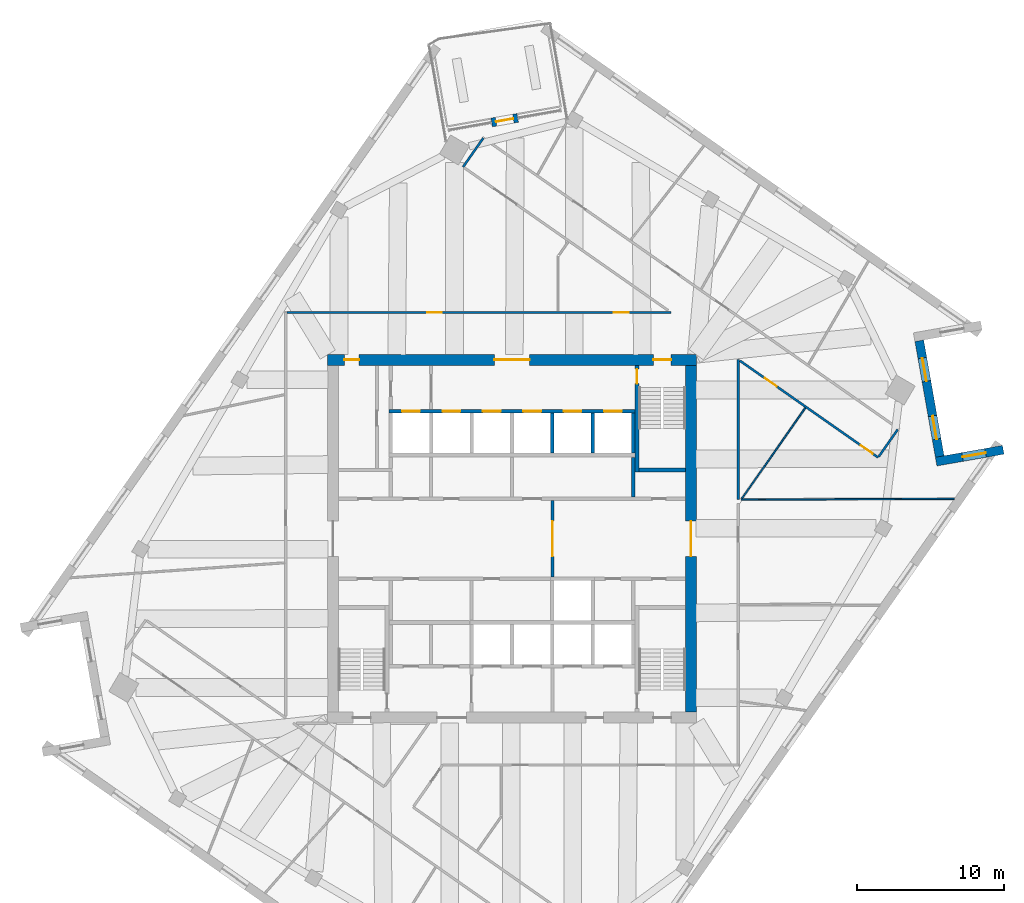
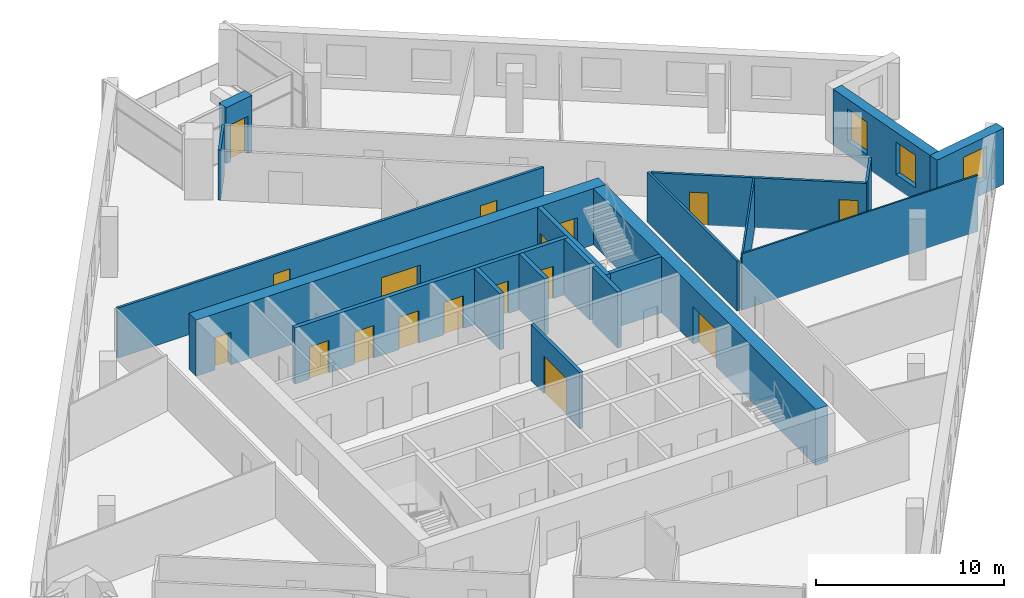
# One storey, part 10 of 13: 20 walls, 17 doors, 3 windows, 20 openings.
"""IFC4 building model written with IfcOpenShell, lengths in metres."""

from ifc_helpers import new_model, si_unit, direction, frame, frame_2d, origin, place, context, subcontext, project, spatial, rectangle, extrude, material, layer, layer_set, type_object, element, fill, save


model = new_model("IFC4")

# Units and contexts
model_context = context("Model", 3, precision=1e-05, world=origin(), true_north=direction((0.0, 1.0)))
body_context = subcontext(model_context, "Body", "Model", "MODEL_VIEW")
ifc_project = project(units=[si_unit("LENGTHUNIT", "METRE"), si_unit("AREAUNIT", "SQUARE_METRE"), si_unit("VOLUMEUNIT", "CUBIC_METRE"), si_unit("PLANEANGLEUNIT", "RADIAN"), si_unit("MASSUNIT", "GRAM", prefix="KILO")], contexts=[model_context])

# Site, building, storey
site_placement = place(None, origin())
site = spatial("IfcSite", under=ifc_project, at=site_placement, CompositionType="ELEMENT")
building_placement = place(site_placement, origin())
building = spatial("IfcBuilding", under=site, at=building_placement, Name="Dilmun Exchange Tower", CompositionType="ELEMENT")
storey_placement = place(building_placement, frame((0.0, 0.0, 250.89990234375)))
storey = spatial("IfcBuildingStorey", under=building, at=storey_placement, Name="L59", CompositionType="ELEMENT", Elevation=250.89990234375)

# Wall, opening, door
ifc_material_1 = material(Name="Concrete C40/50", Category="concrete")
ifc_layer_1 = layer(ifc_material_1, 0.199951171875)
ifc_layer_set_1 = layer_set([ifc_layer_1], Name="Concrete C40/50")
wall_type_1 = type_object("IfcWallType", Name="Core partition wall 200", PredefinedType="PARTITIONING", material=ifc_layer_set_1)
wall_1_placement = place(storey_placement, frame((2.75, -2.594970703125, 0.0), z_axis=(0.0, 0.0, 1.0), x_axis=(0.0, 1.0, 0.0)))
wall_1 = element("IfcWall", 1, at=wall_1_placement, inside=storey, type_object=wall_type_1, Name="L59 core partition wall 12", PredefinedType="PARTITIONING", context=body_context, shape_type="SweptSolid", body=[
    extrude(rectangle(XDim=5.18994140625, YDim=0.199951171875, at=frame_2d((2.594970703125, 0.0))), origin(), (0.0, 0.0, 1.0), 3.64013671875),
])
opening_1_placement = place(wall_1_placement, frame((1.39501953125, 0.0, 0.0)))
opening_1 = element("IfcOpeningElement", 2, at=opening_1_placement, cuts=wall_1, Name="Opening CD1", PredefinedType="OPENING", context=body_context, shape_type="SweptSolid", body=[
    extrude(rectangle(XDim=2.39990234375, YDim=2.39990234375, at=frame_2d((1.199951171875, 1.199951171875))), frame((0.0, 0.10986328125, 0.0), z_axis=(0.0, -1.0, 0.0), x_axis=(1.0, 0.0, 0.0)), (0.0, 0.0, 1.0), 0.219970703125),
])
ifc_material_2 = material(Name="Fire-rated steel door set", Category="steel")
door_type_1 = type_object("IfcDoorType", Name="Core lobby door 2400x2400", OperationType="DOUBLE_DOOR_DOUBLE_SWING", PredefinedType="DOOR", material=ifc_material_2)
door_1_placement = place(opening_1_placement, origin())
door_1 = element("IfcDoor", 3, at=door_1_placement, inside=storey, type_object=door_type_1, Name="L59 door Lift lobby east", OperationType="DOUBLE_DOOR_DOUBLE_SWING", OverallHeight=2.39990234375, OverallWidth=2.39990234375, PredefinedType="DOOR", context=body_context, shape_type="SweptSolid", body=[
    extrude(rectangle(XDim=2.39990234375, YDim=2.39990234375, at=frame_2d((1.199951171875, 1.199951171875))), frame((0.0, 0.02490234375, 0.0), z_axis=(0.0, -1.0, 0.0), x_axis=(1.0, 0.0, 0.0)), (0.0, 0.0, 1.0), 0.050048828125),
])
fill(opening_1, door_1)

# Wall
ifc_layer_2 = layer(ifc_material_1, 0.25)
ifc_layer_set_2 = layer_set([ifc_layer_2], Name="Concrete C40/50")
wall_type_2 = type_object("IfcWallType", Name="Core partition wall 250", PredefinedType="PARTITIONING", material=ifc_layer_set_2)
wall_2_placement = place(storey_placement, frame((8.25, 2.85498046875, 0.0), z_axis=(0.0, 0.0, 1.0), x_axis=(0.0, 1.0, 0.0)))
element("IfcWall", 4, at=wall_2_placement, inside=storey, type_object=wall_type_2, Name="L59 core partition wall 17", PredefinedType="PARTITIONING", context=body_context, shape_type="SweptSolid", body=[
    extrude(rectangle(XDim=2.68994140625, YDim=0.25, at=frame_2d((1.344970703125, 0.0))), origin(), (0.0, 0.0, 1.0), 3.64013671875),
])

# Wall, openings, doors
ifc_material_3 = material(Name="Concrete C50/60", Category="concrete")
ifc_layer_3 = layer(ifc_material_3, 0.75)
ifc_layer_set_3 = layer_set([ifc_layer_3], Name="Concrete C50/60")
wall_type_3 = type_object("IfcWallType", Name="Core shear wall 750 Concrete C50/60", PredefinedType="SHEAR", material=ifc_layer_set_3)
wall_3_placement = place(storey_placement, frame((-12.550048828125, 12.175048828125, 0.0), z_axis=(0.0, 0.0, 1.0), x_axis=(1.0, 0.0, 0.0)))
wall_3 = element("IfcWall", 5, at=wall_3_placement, inside=storey, type_object=wall_type_3, Name="L59 core shear wall N", PredefinedType="SHEAR", context=body_context, shape_type="SweptSolid", body=[
    extrude(rectangle(XDim=25.10009765625, YDim=0.75, at=frame_2d((12.550048828125, 0.0))), origin(), (0.0, 0.0, 1.0), 3.64013671875),
])
opening_2_placement = place(wall_3_placement, frame((11.35009765625, 0.0, 0.0)))
opening_2 = element("IfcOpeningElement", 6, at=opening_2_placement, cuts=wall_3, Name="Opening CD1", PredefinedType="OPENING", context=body_context, shape_type="SweptSolid", body=[
    extrude(rectangle(XDim=2.39990234375, YDim=2.39990234375, at=frame_2d((1.199951171875, 1.199951171875))), frame((0.0, 0.385009765625, 0.0), z_axis=(0.0, -1.0, 0.0), x_axis=(1.0, 0.0, 0.0)), (0.0, 0.0, 1.0), 0.77001953125),
])
opening_3_placement = place(wall_3_placement, frame((22.175048828125, 0.0, 0.0)))
opening_3 = element("IfcOpeningElement", 7, at=opening_3_placement, cuts=wall_3, Name="Opening CD3", PredefinedType="OPENING", context=body_context, shape_type="SweptSolid", body=[
    extrude(rectangle(XDim=1.199951171875, YDim=2.10009765625, at=frame_2d((0.60009765625, 1.050048828125))), frame((0.0, 0.385009765625, 0.0), z_axis=(0.0, -1.0, 0.0), x_axis=(1.0, 0.0, 0.0)), (0.0, 0.0, 1.0), 0.77001953125),
])
opening_4_placement = place(wall_3_placement, frame((1.14990234375, 0.0, 0.0)))
opening_4 = element("IfcOpeningElement", 8, at=opening_4_placement, cuts=wall_3, Name="Opening CD4", PredefinedType="OPENING", context=body_context, shape_type="SweptSolid", body=[
    extrude(rectangle(XDim=1.0, YDim=2.10009765625, at=frame_2d((0.5, 1.050048828125))), frame((0.0, 0.385009765625, 0.0), z_axis=(0.0, -1.0, 0.0), x_axis=(1.0, 0.0, 0.0)), (0.0, 0.0, 1.0), 0.77001953125),
])
door_2_placement = place(opening_2_placement, origin())
door_2 = element("IfcDoor", 9, at=door_2_placement, inside=storey, type_object=door_type_1, Name="L59 door North lift lobby", OperationType="SINGLE_SWING_LEFT", OverallHeight=2.39990234375, OverallWidth=2.39990234375, PredefinedType="DOOR", context=body_context, shape_type="SweptSolid", body=[
    extrude(rectangle(XDim=2.39990234375, YDim=2.39990234375, at=frame_2d((1.199951171875, 1.199951171875))), frame((0.0, 0.02490234375, 0.0), z_axis=(0.0, -1.0, 0.0), x_axis=(1.0, 0.0, 0.0)), (0.0, 0.0, 1.0), 0.050048828125),
])
fill(opening_2, door_2)
door_type_2 = type_object("IfcDoorType", Name="Core room door 1000x2100", OperationType="SINGLE_SWING_LEFT", PredefinedType="DOOR", material=ifc_material_2)
door_3_placement = place(opening_4_placement, origin())
door_3 = element("IfcDoor", 10, at=door_3_placement, inside=storey, type_object=door_type_2, Name="L59 door North-west core rooms", OperationType="SINGLE_SWING_LEFT", OverallHeight=2.10009765625, OverallWidth=1.0, PredefinedType="DOOR", context=body_context, shape_type="SweptSolid", body=[
    extrude(rectangle(XDim=1.0, YDim=2.10009765625, at=frame_2d((0.5, 1.050048828125))), frame((0.0, 0.02490234375, 0.0), z_axis=(0.0, -1.0, 0.0), x_axis=(1.0, 0.0, 0.0)), (0.0, 0.0, 1.0), 0.050048828125),
])
fill(opening_4, door_3)
door_type_3 = type_object("IfcDoorType", Name="Stair exit door 1200x2100", OperationType="SINGLE_SWING_LEFT", PredefinedType="DOOR", material=ifc_material_2)
door_4_placement = place(opening_3_placement, origin())
door_4 = element("IfcDoor", 11, at=door_4_placement, inside=storey, type_object=door_type_3, Name="L59 door Stair ST1", OperationType="SINGLE_SWING_LEFT", OverallHeight=2.10009765625, OverallWidth=1.199951171875, PredefinedType="DOOR", context=body_context, shape_type="SweptSolid", body=[
    extrude(rectangle(XDim=1.199951171875, YDim=2.10009765625, at=frame_2d((0.60009765625, 1.050048828125))), frame((0.0, 0.02490234375, 0.0), z_axis=(0.0, -1.0, 0.0), x_axis=(1.0, 0.0, 0.0)), (0.0, 0.0, 1.0), 0.050048828125),
])
fill(opening_3, door_4)

# Wall, opening, door
wall_4_placement = place(storey_placement, frame((12.175048828125, -11.800048828125, 0.0), z_axis=(0.0, 0.0, 1.0), x_axis=(0.0, 1.0, 0.0)))
wall_4 = element("IfcWall", 12, at=wall_4_placement, inside=storey, type_object=wall_type_3, Name="L59 core shear wall E", PredefinedType="SHEAR", context=body_context, shape_type="SweptSolid", body=[
    extrude(rectangle(XDim=23.60009765625, YDim=0.75, at=frame_2d((11.800048828125, 0.0))), origin(), (0.0, 0.0, 1.0), 3.64013671875),
])
opening_5_placement = place(wall_4_placement, frame((10.60009765625, 0.0, 0.0)))
opening_5 = element("IfcOpeningElement", 13, at=opening_5_placement, cuts=wall_4, Name="Opening CD1", PredefinedType="OPENING", context=body_context, shape_type="SweptSolid", body=[
    extrude(rectangle(XDim=2.39990234375, YDim=2.39990234375, at=frame_2d((1.199951171875, 1.199951171875))), frame((0.0, 0.385009765625, 0.0), z_axis=(0.0, -1.0, 0.0), x_axis=(1.0, 0.0, 0.0)), (0.0, 0.0, 1.0), 0.77001953125),
])
door_5_placement = place(opening_5_placement, origin())
door_5 = element("IfcDoor", 14, at=door_5_placement, inside=storey, type_object=door_type_1, Name="L59 door Central lift lobby", OperationType="SINGLE_SWING_LEFT", OverallHeight=2.39990234375, OverallWidth=2.39990234375, PredefinedType="DOOR", context=body_context, shape_type="SweptSolid", body=[
    extrude(rectangle(XDim=2.39990234375, YDim=2.39990234375, at=frame_2d((1.199951171875, 1.199951171875))), frame((0.0, 0.02490234375, 0.0), z_axis=(0.0, -1.0, 0.0), x_axis=(1.0, 0.0, 0.0)), (0.0, 0.0, 1.0), 0.050048828125),
])
fill(opening_5, door_5)

# Wall, openings, doors
ifc_material_4 = material(Name="Corridor wall 150")
ifc_layer_4 = layer(ifc_material_4, 0.14990234375)
ifc_layer_set_4 = layer_set([ifc_layer_4], Name="Corridor wall 150")
wall_type_4 = type_object("IfcWallType", Name="Corridor wall 150", PredefinedType="PARTITIONING", material=ifc_layer_set_4)
wall_5_placement = place(storey_placement, frame((-15.324951171875, 15.39990234375, 0.0), z_axis=(0.0, 0.0, 1.0), x_axis=(1.0, 0.0, 0.0)))
wall_5 = element("IfcWall", 15, at=wall_5_placement, inside=storey, type_object=wall_type_4, Name="Corridor wall", PredefinedType="PARTITIONING", context=body_context, shape_type="SweptSolid", body=[
    extrude(rectangle(XDim=26.140869140625, YDim=0.14990234375, at=frame_2d((13.0703125, 0.0))), origin(), (0.0, 0.0, 1.0), 3.239990234375),
])
opening_6_placement = place(wall_5_placement, frame((9.550048828125, 0.0, 0.0)))
opening_6 = element("IfcOpeningElement", 16, at=opening_6_placement, cuts=wall_5, Name="Opening TF57-D08", PredefinedType="OPENING", context=body_context, shape_type="SweptSolid", body=[
    extrude(rectangle(XDim=1.0, YDim=2.10009765625, at=frame_2d((0.5, 1.050048828125))), frame((0.0, 0.0849609375, 0.0), z_axis=(0.0, -1.0, 0.0), x_axis=(1.0, 0.0, 0.0)), (0.0, 0.0, 1.0), 0.169921875),
])
opening_7_placement = place(wall_5_placement, frame((22.2548828125, 0.0, 0.0)))
opening_7 = element("IfcOpeningElement", 17, at=opening_7_placement, cuts=wall_5, Name="Opening TF57-D12", PredefinedType="OPENING", context=body_context, shape_type="SweptSolid", body=[
    extrude(rectangle(XDim=1.0, YDim=2.10009765625, at=frame_2d((0.5, 1.050048828125))), frame((0.0, 0.0849609375, 0.0), z_axis=(0.0, -1.0, 0.0), x_axis=(1.0, 0.0, 0.0)), (0.0, 0.0, 1.0), 0.169921875),
])
ifc_material_5 = material(Name="Fire door 1000 x 2100")
door_type_4 = type_object("IfcDoorType", Name="Fire door 1000 x 2100", OperationType="NOTDEFINED", PredefinedType="DOOR", material=ifc_material_5)
door_6_placement = place(opening_6_placement, origin())
door_6 = element("IfcDoor", 18, at=door_6_placement, inside=storey, type_object=door_type_4, Name="Door TF57-D08", OperationType="SINGLE_SWING_RIGHT", OverallHeight=2.10009765625, OverallWidth=1.0, PredefinedType="DOOR", context=body_context, shape_type="SweptSolid", body=[
    extrude(rectangle(XDim=1.0, YDim=2.10009765625, at=frame_2d((0.5, 1.050048828125))), frame((0.0, 0.02490234375, 0.0), z_axis=(0.0, -1.0, 0.0), x_axis=(1.0, 0.0, 0.0)), (0.0, 0.0, 1.0), 0.050048828125),
])
fill(opening_6, door_6)
door_7_placement = place(opening_7_placement, origin())
door_7 = element("IfcDoor", 19, at=door_7_placement, inside=storey, type_object=door_type_4, Name="Door TF57-D12", OperationType="SINGLE_SWING_LEFT", OverallHeight=2.10009765625, OverallWidth=1.0, PredefinedType="DOOR", context=body_context, shape_type="SweptSolid", body=[
    extrude(rectangle(XDim=1.0, YDim=2.10009765625, at=frame_2d((0.5, 1.050048828125))), frame((0.0, 0.02490234375, 0.0), z_axis=(0.0, -1.0, 0.0), x_axis=(1.0, 0.0, 0.0)), (0.0, 0.0, 1.0), 0.050048828125),
])
fill(opening_7, door_7)

# Walls
wall_6_placement = place(storey_placement, frame((-3.326904296875, 25.302978515625, 0.0), z_axis=(0.0, 0.0, 1.0), x_axis=(0.573387234428, 0.819284492344, 0.0)))
element("IfcWall", 20, at=wall_6_placement, inside=storey, type_object=wall_type_4, Name="Corridor wall", PredefinedType="PARTITIONING", context=body_context, shape_type="SweptSolid", body=[
    extrude(rectangle(XDim=2.399658203125, YDim=0.14990234375, at=frame_2d((1.19970703125, 0.0))), origin(), (0.0, 0.0, 1.0), 3.239990234375),
])
wall_7_placement = place(storey_placement, frame((15.39990234375, 2.6640625, 0.0), z_axis=(0.0, 0.0, 1.0), x_axis=(0.0, 1.0, 0.0)))
element("IfcWall", 21, at=wall_7_placement, inside=storey, type_object=wall_type_4, Name="Corridor wall", PredefinedType="PARTITIONING", context=body_context, shape_type="SweptSolid", body=[
    extrude(rectangle(XDim=9.52587890625, YDim=0.14990234375, at=frame_2d((4.762939453125, 0.0))), origin(), (0.0, 0.0, 1.0), 3.239990234375),
])

# Wall, openings, doors
wall_8_placement = place(storey_placement, frame((15.51806640625, 12.107421875, 0.0), z_axis=(0.0, 0.0, 1.0), x_axis=(0.819171924474, -0.573548043457, 0.0)))
wall_8 = element("IfcWall", 22, at=wall_8_placement, inside=storey, type_object=wall_type_4, Name="Corridor wall", PredefinedType="PARTITIONING", context=body_context, shape_type="SweptSolid", body=[
    extrude(rectangle(XDim=11.47119140625, YDim=0.14990234375, at=frame_2d((5.735595703125, 0.0))), origin(), (0.0, 0.0, 1.0), 3.239990234375),
])
opening_8_placement = place(wall_8_placement, frame((2.050048828125, 0.0, 0.0)))
opening_8 = element("IfcOpeningElement", 23, at=opening_8_placement, cuts=wall_8, Name="Opening TF57-D15", PredefinedType="OPENING", context=body_context, shape_type="SweptSolid", body=[
    extrude(rectangle(XDim=1.0, YDim=2.10009765625, at=frame_2d((0.5, 1.050048828125))), frame((0.0, 0.0849609375, 0.0), z_axis=(0.0, -1.0, 0.0), x_axis=(1.0, 0.0, 0.0)), (0.0, 0.0, 1.0), 0.169921875),
])
opening_9_placement = place(wall_8_placement, frame((10.027099609375, 0.0, 0.0)))
opening_9 = element("IfcOpeningElement", 24, at=opening_9_placement, cuts=wall_8, Name="Opening TF57-D19", PredefinedType="OPENING", context=body_context, shape_type="SweptSolid", body=[
    extrude(rectangle(XDim=1.0, YDim=2.10009765625, at=frame_2d((0.5, 1.050048828125))), frame((0.0, 0.0849609375, 0.0), z_axis=(0.0, -1.0, 0.0), x_axis=(1.0, 0.0, 0.0)), (0.0, 0.0, 1.0), 0.169921875),
])
door_8_placement = place(opening_8_placement, frame((1.0, 0.0, 0.0), z_axis=(0.0, 0.0, 1.0), x_axis=(-1.0, 0.0, 0.0)))
door_8 = element("IfcDoor", 25, at=door_8_placement, inside=storey, type_object=door_type_4, Name="Door TF57-D15", OperationType="SINGLE_SWING_LEFT", OverallHeight=2.10009765625, OverallWidth=1.0, PredefinedType="DOOR", context=body_context, shape_type="SweptSolid", body=[
    extrude(rectangle(XDim=1.0, YDim=2.10009765625, at=frame_2d((0.5, 1.050048828125))), frame((0.0, 0.02490234375, 0.0), z_axis=(0.0, -1.0, 0.0), x_axis=(1.0, 0.0, 0.0)), (0.0, 0.0, 1.0), 0.050048828125),
])
fill(opening_8, door_8)
door_9_placement = place(opening_9_placement, frame((1.0, 0.0, 0.0), z_axis=(0.0, 0.0, 1.0), x_axis=(-1.0, 0.0, 0.0)))
door_9 = element("IfcDoor", 26, at=door_9_placement, inside=storey, type_object=door_type_4, Name="Door TF57-D19", OperationType="SINGLE_SWING_LEFT", OverallHeight=2.10009765625, OverallWidth=1.0, PredefinedType="DOOR", context=body_context, shape_type="SweptSolid", body=[
    extrude(rectangle(XDim=1.0, YDim=2.10009765625, at=frame_2d((0.5, 1.050048828125))), frame((0.0, 0.02490234375, 0.0), z_axis=(0.0, -1.0, 0.0), x_axis=(1.0, 0.0, 0.0)), (0.0, 0.0, 1.0), 0.050048828125),
])
fill(opening_9, door_9)

# Wall
wall_9_placement = place(storey_placement, frame((24.9580078125, 5.58935546875, 0.0), z_axis=(0.0, 0.0, 1.0), x_axis=(0.573680754751, 0.819078989859, 0.0)))
element("IfcWall", 27, at=wall_9_placement, inside=storey, type_object=wall_type_4, Name="Corridor wall", PredefinedType="PARTITIONING", context=body_context, shape_type="SweptSolid", body=[
    extrude(rectangle(XDim=2.25048828125, YDim=0.14990234375, at=frame_2d((1.125244140625, 0.0))), origin(), (0.0, 0.0, 1.0), 3.239990234375),
])

# Wall, openings, doors
ifc_layer_5 = layer(ifc_material_1, 0.25)
ifc_layer_set_5 = layer_set([ifc_layer_5], Name="Concrete C40/50")
wall_type_5 = type_object("IfcWallType", Name="Lift shaft wall 250", PredefinedType="SOLIDWALL", material=ifc_layer_set_5)
wall_10_placement = place(storey_placement, frame((-8.375, 8.675048828125, 0.0), z_axis=(0.0, 0.0, 1.0), x_axis=(1.0, 0.0, 0.0)))
wall_10 = element("IfcWall", 28, at=wall_10_placement, inside=storey, type_object=wall_type_5, Name="L59 lift shaft front wall N2", PredefinedType="SOLIDWALL", context=body_context, shape_type="SweptSolid", body=[
    extrude(rectangle(XDim=16.75, YDim=0.25, at=frame_2d((8.375, 0.0))), origin(), (0.0, 0.0, 1.0), 3.64013671875),
])
opening_10_placement = place(wall_10_placement, frame((0.89990234375, 0.0, 0.0)))
opening_10 = element("IfcOpeningElement", 29, at=opening_10_placement, cuts=wall_10, Name="Opening LD", PredefinedType="OPENING", context=body_context, shape_type="SweptSolid", body=[
    extrude(rectangle(XDim=1.199951171875, YDim=2.10009765625, at=frame_2d((0.60009765625, 1.050048828125))), frame((0.0, 0.135009765625, 0.0), z_axis=(0.0, -1.0, 0.0), x_axis=(1.0, 0.0, 0.0)), (0.0, 0.0, 1.0), 0.27001953125),
])
opening_11_placement = place(wall_10_placement, frame((3.64990234375, 0.0, 0.0)))
opening_11 = element("IfcOpeningElement", 30, at=opening_11_placement, cuts=wall_10, Name="Opening LD", PredefinedType="OPENING", context=body_context, shape_type="SweptSolid", body=[
    extrude(rectangle(XDim=1.199951171875, YDim=2.10009765625, at=frame_2d((0.60009765625, 1.050048828125))), frame((0.0, 0.135009765625, 0.0), z_axis=(0.0, -1.0, 0.0), x_axis=(1.0, 0.0, 0.0)), (0.0, 0.0, 1.0), 0.27001953125),
])
opening_12_placement = place(wall_10_placement, frame((6.39990234375, 0.0, 0.0)))
opening_12 = element("IfcOpeningElement", 31, at=opening_12_placement, cuts=wall_10, Name="Opening LD", PredefinedType="OPENING", context=body_context, shape_type="SweptSolid", body=[
    extrude(rectangle(XDim=1.199951171875, YDim=2.10009765625, at=frame_2d((0.60009765625, 1.050048828125))), frame((0.0, 0.135009765625, 0.0), z_axis=(0.0, -1.0, 0.0), x_axis=(1.0, 0.0, 0.0)), (0.0, 0.0, 1.0), 0.27001953125),
])
opening_13_placement = place(wall_10_placement, frame((9.14990234375, 0.0, 0.0)))
opening_13 = element("IfcOpeningElement", 32, at=opening_13_placement, cuts=wall_10, Name="Opening LD", PredefinedType="OPENING", context=body_context, shape_type="SweptSolid", body=[
    extrude(rectangle(XDim=1.199951171875, YDim=2.10009765625, at=frame_2d((0.60009765625, 1.050048828125))), frame((0.0, 0.135009765625, 0.0), z_axis=(0.0, -1.0, 0.0), x_axis=(1.0, 0.0, 0.0)), (0.0, 0.0, 1.0), 0.27001953125),
])
opening_14_placement = place(wall_10_placement, frame((11.89990234375, 0.0, 0.0)))
opening_14 = element("IfcOpeningElement", 33, at=opening_14_placement, cuts=wall_10, Name="Opening LD", PredefinedType="OPENING", context=body_context, shape_type="SweptSolid", body=[
    extrude(rectangle(XDim=1.199951171875, YDim=2.10009765625, at=frame_2d((0.60009765625, 1.050048828125))), frame((0.0, 0.135009765625, 0.0), z_axis=(0.0, -1.0, 0.0), x_axis=(1.0, 0.0, 0.0)), (0.0, 0.0, 1.0), 0.27001953125),
])
opening_15_placement = place(wall_10_placement, frame((14.64990234375, 0.0, 0.0)))
opening_15 = element("IfcOpeningElement", 34, at=opening_15_placement, cuts=wall_10, Name="Opening LD", PredefinedType="OPENING", context=body_context, shape_type="SweptSolid", body=[
    extrude(rectangle(XDim=1.199951171875, YDim=2.10009765625, at=frame_2d((0.60009765625, 1.050048828125))), frame((0.0, 0.135009765625, 0.0), z_axis=(0.0, -1.0, 0.0), x_axis=(1.0, 0.0, 0.0)), (0.0, 0.0, 1.0), 0.27001953125),
])
door_type_5 = type_object("IfcDoorType", Name="Lift landing door 1200x2100", OperationType="DOUBLE_DOOR_SLIDING", PredefinedType="DOOR", material=ifc_material_2)
door_10_placement = place(opening_10_placement, origin())
door_10 = element("IfcDoor", 35, at=door_10_placement, inside=storey, type_object=door_type_5, Name="L59 landing door HR1", OperationType="DOUBLE_DOOR_SLIDING", OverallHeight=2.10009765625, OverallWidth=1.199951171875, PredefinedType="DOOR", context=body_context, shape_type="SweptSolid", body=[
    extrude(rectangle(XDim=1.199951171875, YDim=2.10009765625, at=frame_2d((0.60009765625, 1.050048828125))), frame((0.0, 0.02490234375, 0.0), z_axis=(0.0, -1.0, 0.0), x_axis=(1.0, 0.0, 0.0)), (0.0, 0.0, 1.0), 0.050048828125),
])
fill(opening_10, door_10)
door_11_placement = place(opening_11_placement, origin())
door_11 = element("IfcDoor", 36, at=door_11_placement, inside=storey, type_object=door_type_5, Name="L59 landing door HR2", OperationType="DOUBLE_DOOR_SLIDING", OverallHeight=2.10009765625, OverallWidth=1.199951171875, PredefinedType="DOOR", context=body_context, shape_type="SweptSolid", body=[
    extrude(rectangle(XDim=1.199951171875, YDim=2.10009765625, at=frame_2d((0.60009765625, 1.050048828125))), frame((0.0, 0.02490234375, 0.0), z_axis=(0.0, -1.0, 0.0), x_axis=(1.0, 0.0, 0.0)), (0.0, 0.0, 1.0), 0.050048828125),
])
fill(opening_11, door_11)
door_12_placement = place(opening_12_placement, origin())
door_12 = element("IfcDoor", 37, at=door_12_placement, inside=storey, type_object=door_type_5, Name="L59 landing door HR3", OperationType="DOUBLE_DOOR_SLIDING", OverallHeight=2.10009765625, OverallWidth=1.199951171875, PredefinedType="DOOR", context=body_context, shape_type="SweptSolid", body=[
    extrude(rectangle(XDim=1.199951171875, YDim=2.10009765625, at=frame_2d((0.60009765625, 1.050048828125))), frame((0.0, 0.02490234375, 0.0), z_axis=(0.0, -1.0, 0.0), x_axis=(1.0, 0.0, 0.0)), (0.0, 0.0, 1.0), 0.050048828125),
])
fill(opening_12, door_12)
door_13_placement = place(opening_13_placement, origin())
door_13 = element("IfcDoor", 38, at=door_13_placement, inside=storey, type_object=door_type_5, Name="L59 landing door HR4", OperationType="DOUBLE_DOOR_SLIDING", OverallHeight=2.10009765625, OverallWidth=1.199951171875, PredefinedType="DOOR", context=body_context, shape_type="SweptSolid", body=[
    extrude(rectangle(XDim=1.199951171875, YDim=2.10009765625, at=frame_2d((0.60009765625, 1.050048828125))), frame((0.0, 0.02490234375, 0.0), z_axis=(0.0, -1.0, 0.0), x_axis=(1.0, 0.0, 0.0)), (0.0, 0.0, 1.0), 0.050048828125),
])
fill(opening_13, door_13)
door_14_placement = place(opening_14_placement, origin())
door_14 = element("IfcDoor", 39, at=door_14_placement, inside=storey, type_object=door_type_5, Name="L59 landing door HR5", OperationType="DOUBLE_DOOR_SLIDING", OverallHeight=2.10009765625, OverallWidth=1.199951171875, PredefinedType="DOOR", context=body_context, shape_type="SweptSolid", body=[
    extrude(rectangle(XDim=1.199951171875, YDim=2.10009765625, at=frame_2d((0.60009765625, 1.050048828125))), frame((0.0, 0.02490234375, 0.0), z_axis=(0.0, -1.0, 0.0), x_axis=(1.0, 0.0, 0.0)), (0.0, 0.0, 1.0), 0.050048828125),
])
fill(opening_14, door_14)
door_15_placement = place(opening_15_placement, origin())
door_15 = element("IfcDoor", 40, at=door_15_placement, inside=storey, type_object=door_type_5, Name="L59 landing door HR6", OperationType="DOUBLE_DOOR_SLIDING", OverallHeight=2.10009765625, OverallWidth=1.199951171875, PredefinedType="DOOR", context=body_context, shape_type="SweptSolid", body=[
    extrude(rectangle(XDim=1.199951171875, YDim=2.10009765625, at=frame_2d((0.60009765625, 1.050048828125))), frame((0.0, 0.02490234375, 0.0), z_axis=(0.0, -1.0, 0.0), x_axis=(1.0, 0.0, 0.0)), (0.0, 0.0, 1.0), 0.050048828125),
])
fill(opening_15, door_15)

# Walls
for number, where, z_axis, x_axis, name in (
    (41, (2.75, 5.85009765625, 0.0), (0.0, 0.0, 1.0), (0.0, 1.0, 0.0), "L59 lift shaft divider N24"),
    (42, (5.5, 5.85009765625, 0.0), (0.0, 0.0, 1.0), (0.0, 1.0, 0.0), "L59 lift shaft divider N25"),
    (43, (8.25, 5.85009765625, 0.0), (0.0, 0.0, 1.0), (0.0, 1.0, 0.0), "L59 lift shaft divider N26"),
):
    element("IfcWall", number, at=place(storey_placement, frame(where, z_axis=z_axis, x_axis=x_axis)), inside=storey, type_object=wall_type_5, Name=name, PredefinedType="SOLIDWALL", context=body_context, shape_type="SweptSolid", body=[
        extrude(rectangle(XDim=2.699951171875, YDim=0.25, at=frame_2d((1.35009765625, 0.0))), origin(), (0.0, 0.0, 1.0), 3.64013671875),
    ])
ifc_material_6 = material(Name="Partition 100")
ifc_layer_6 = layer(ifc_material_6, 0.10009765625)
ifc_layer_set_6 = layer_set([ifc_layer_6], Name="Partition 100")
wall_type_6 = type_object("IfcWallType", Name="Partition 100", PredefinedType="PARTITIONING", material=ifc_layer_set_6)
wall_11_placement = place(storey_placement, frame((15.593017578125, 2.6650390625, 0.0), z_axis=(0.0, 0.0, 1.0), x_axis=(0.999993270933, 0.003668526741, 0.0)))
element("IfcWall", 44, at=wall_11_placement, inside=storey, type_object=wall_type_6, Name="Partition", PredefinedType="PARTITIONING", context=body_context, shape_type="SweptSolid", body=[
    extrude(rectangle(XDim=14.5078125, YDim=0.10009765625, at=frame_2d((7.25390625, 0.0))), origin(), (0.0, 0.0, 1.0), 3.64013671875),
])
wall_12_placement = place(storey_placement, frame((15.648193359375, 2.743896484375, 0.0), z_axis=(0.0, 0.0, 1.0), x_axis=(0.57357562998, 0.819152608915, 0.0)))
element("IfcWall", 45, at=wall_12_placement, inside=storey, type_object=wall_type_6, Name="Partition", PredefinedType="PARTITIONING", context=body_context, shape_type="SweptSolid", body=[
    extrude(rectangle(XDim=7.520751953125, YDim=0.10009765625, at=frame_2d((3.76025390625, 0.0))), origin(), (0.0, 0.0, 1.0), 3.239990234375),
])

# Wall, opening, window
ifc_material_7 = material(Name="Precast concrete C50/60", Category="concrete")
ifc_layer_7 = layer(ifc_material_7, 0.60009765625)
ifc_layer_set_7 = layer_set([ifc_layer_7], Name="Precast concrete C50/60")
wall_type_7 = type_object("IfcWallType", Name="Precast stone-clad wall 600", PredefinedType="STANDARD", material=ifc_layer_set_7)
wall_13_placement = place(storey_placement, frame((33.4287109375, 6.051513671875, 0.0), z_axis=(0.0, 0.0, 1.0), x_axis=(-0.984808997794, -0.173641118013, 0.0)))
wall_13 = element("IfcWall", 46, at=wall_13_placement, inside=storey, type_object=wall_type_7, Name="Facade wall L59-12", PredefinedType="STANDARD", context=body_context, shape_type="SweptSolid", body=[
    extrude(rectangle(XDim=4.635498046875, YDim=0.60009765625, at=frame_2d((2.31787109375, 0.0))), origin(), (0.0, 0.0, 1.0), 3.64013671875),
])
opening_16_placement = place(wall_13_placement, frame((1.2177734375, 0.0, 0.89990234375)))
opening_16 = element("IfcOpeningElement", 47, at=opening_16_placement, cuts=wall_13, Name="Opening W160-210", PredefinedType="OPENING", context=body_context, shape_type="SweptSolid", body=[
    extrude(rectangle(XDim=1.60009765625, YDim=2.10009765625, at=frame_2d((0.800048828125, 1.050048828125))), frame((0.0, 0.31005859375, 0.0), z_axis=(0.0, -1.0, 0.0), x_axis=(1.0, 0.0, 0.0)), (0.0, 0.0, 1.0), 0.6201171875),
])
ifc_material_8 = material(Name="Clear low-emissivity glass in aluminium frame", Category="aluminium")
window_type = type_object("IfcWindowType", Name="Punched window 1600 x 2100", PartitioningType="DOUBLE_PANEL_VERTICAL", PredefinedType="WINDOW", material=ifc_material_8)
window_1_placement = place(opening_16_placement, origin())
window_1 = element("IfcWindow", 48, at=window_1_placement, inside=storey, type_object=window_type, Name="Window 13.1", OverallHeight=2.10009765625, OverallWidth=1.60009765625, PartitioningType="SINGLE_PANEL", PredefinedType="WINDOW", context=body_context, shape_type="SweptSolid", body=[
    extrude(rectangle(XDim=1.60009765625, YDim=2.10009765625, at=frame_2d((0.800048828125, 1.050048828125))), frame((0.0, 0.030029296875, 0.0), z_axis=(0.0, -1.0, 0.0), x_axis=(1.0, 0.0, 0.0)), (0.0, 0.0, 1.0), 0.06005859375),
])
fill(opening_16, window_1)

# Wall, openings, windows
wall_14_placement = place(storey_placement, frame((29.10693359375, 5.593994140625, 0.0), z_axis=(0.0, 0.0, 1.0), x_axis=(-0.173640837858, 0.98480904719, 0.0)))
wall_14 = element("IfcWall", 49, at=wall_14_placement, inside=storey, type_object=wall_type_7, Name="Facade wall L59-13", PredefinedType="STANDARD", context=body_context, shape_type="SweptSolid", body=[
    extrude(rectangle(XDim=8.000244140625, YDim=0.60009765625, at=frame_2d((4.0, 0.0))), origin(), (0.0, 0.0, 1.0), 3.64013671875),
])
opening_17_placement = place(wall_14_placement, frame((1.199951171875, 0.0, 0.89990234375)))
opening_17 = element("IfcOpeningElement", 50, at=opening_17_placement, cuts=wall_14, Name="Opening W160-210", PredefinedType="OPENING", context=body_context, shape_type="SweptSolid", body=[
    extrude(rectangle(XDim=1.60009765625, YDim=2.10009765625, at=frame_2d((0.800048828125, 1.050048828125))), frame((0.0, 0.31005859375, 0.0), z_axis=(0.0, -1.0, 0.0), x_axis=(1.0, 0.0, 0.0)), (0.0, 0.0, 1.0), 0.6201171875),
])
opening_18_placement = place(wall_14_placement, frame((5.199951171875, 0.0, 0.89990234375)))
opening_18 = element("IfcOpeningElement", 51, at=opening_18_placement, cuts=wall_14, Name="Opening W160-210", PredefinedType="OPENING", context=body_context, shape_type="SweptSolid", body=[
    extrude(rectangle(XDim=1.60009765625, YDim=2.10009765625, at=frame_2d((0.800048828125, 1.050048828125))), frame((0.0, 0.31005859375, 0.0), z_axis=(0.0, -1.0, 0.0), x_axis=(1.0, 0.0, 0.0)), (0.0, 0.0, 1.0), 0.6201171875),
])
window_2_placement = place(opening_17_placement, origin())
window_2 = element("IfcWindow", 52, at=window_2_placement, inside=storey, type_object=window_type, Name="Window 14.1", OverallHeight=2.10009765625, OverallWidth=1.60009765625, PartitioningType="SINGLE_PANEL", PredefinedType="WINDOW", context=body_context, shape_type="SweptSolid", body=[
    extrude(rectangle(XDim=1.60009765625, YDim=2.10009765625, at=frame_2d((0.800048828125, 1.050048828125))), frame((0.0, 0.030029296875, 0.0), z_axis=(0.0, -1.0, 0.0), x_axis=(1.0, 0.0, 0.0)), (0.0, 0.0, 1.0), 0.06005859375),
])
fill(opening_17, window_2)
window_3_placement = place(opening_18_placement, origin())
window_3 = element("IfcWindow", 53, at=window_3_placement, inside=storey, type_object=window_type, Name="Window 14.2", OverallHeight=2.10009765625, OverallWidth=1.60009765625, PartitioningType="SINGLE_PANEL", PredefinedType="WINDOW", context=body_context, shape_type="SweptSolid", body=[
    extrude(rectangle(XDim=1.60009765625, YDim=2.10009765625, at=frame_2d((0.800048828125, 1.050048828125))), frame((0.0, 0.030029296875, 0.0), z_axis=(0.0, -1.0, 0.0), x_axis=(1.0, 0.0, 0.0)), (0.0, 0.0, 1.0), 0.06005859375),
])
fill(opening_18, window_3)

# Wall, opening, door
wall_15_placement = place(storey_placement, frame((0.3876953125, 28.638427734375, 0.0), z_axis=(0.0, 0.0, 1.0), x_axis=(-0.984814947176, -0.173607372591, 0.0)))
wall_15 = element("IfcWall", 54, at=wall_15_placement, inside=storey, type_object=wall_type_7, Name="Facade wall L59-01-D", PredefinedType="STANDARD", context=body_context, shape_type="SweptSolid", body=[
    extrude(rectangle(XDim=1.800048828125, YDim=0.60009765625, at=frame_2d((0.89990234375, 0.0))), origin(), (0.0, 0.0, 1.0), 3.64013671875),
])
opening_19_placement = place(wall_15_placement, frame((0.300048828125, 0.0, 0.0)))
opening_19 = element("IfcOpeningElement", 55, at=opening_19_placement, cuts=wall_15, Name="Opening GD-1", PredefinedType="OPENING", context=body_context, shape_type="SweptSolid", body=[
    extrude(rectangle(XDim=1.199951171875, YDim=2.39990234375, at=frame_2d((0.60009765625, 1.199951171875))), frame((0.0, 0.31005859375, 0.0), z_axis=(0.0, -1.0, 0.0), x_axis=(1.0, 0.0, 0.0)), (0.0, 0.0, 1.0), 0.6201171875),
])
door_type_6 = type_object("IfcDoorType", Name="Glazed garden door 1200 x 2400", OperationType="SINGLE_SWING_LEFT", PredefinedType="DOOR", material=ifc_material_8)
door_16_placement = place(opening_19_placement, origin())
door_16 = element("IfcDoor", 56, at=door_16_placement, inside=storey, type_object=door_type_6, Name="Garden terrace door", OperationType="SINGLE_SWING_LEFT", OverallHeight=2.39990234375, OverallWidth=1.199951171875, PredefinedType="DOOR", context=body_context, shape_type="SweptSolid", body=[
    extrude(rectangle(XDim=1.199951171875, YDim=2.39990234375, at=frame_2d((0.60009765625, 1.199951171875))), frame((0.0, 0.02490234375, 0.0), z_axis=(0.0, -1.0, 0.0), x_axis=(1.0, 0.0, 0.0)), (0.0, 0.0, 1.0), 0.050048828125),
])
fill(opening_19, door_16)

# Wall
ifc_layer_8 = layer(ifc_material_1, 0.25)
ifc_layer_set_8 = layer_set([ifc_layer_8], Name="Concrete C40/50")
wall_type_8 = type_object("IfcWallType", Name="Stair end wall 250", PredefinedType="SOLIDWALL", material=ifc_layer_set_8)
wall_16_placement = place(storey_placement, frame((8.64990234375, 4.675048828125, 0.0), z_axis=(0.0, 0.0, 1.0), x_axis=(1.0, 0.0, 0.0)))
element("IfcWall", 57, at=wall_16_placement, inside=storey, type_object=wall_type_8, Name="L59 ST1 far wall", PredefinedType="SOLIDWALL", context=body_context, shape_type="SweptSolid", body=[
    extrude(rectangle(XDim=3.150146484375, YDim=0.25, at=frame_2d((1.5751953125, 0.0))), origin(), (0.0, 0.0, 1.0), 3.64013671875),
])

# Wall, opening, door
ifc_layer_9 = layer(ifc_material_1, 0.27490234375)
ifc_layer_set_9 = layer_set([ifc_layer_9], Name="Concrete C40/50")
wall_type_9 = type_object("IfcWallType", Name="Stair wall 275", PredefinedType="SOLIDWALL", material=ifc_layer_set_9)
wall_17_placement = place(storey_placement, frame((8.512451171875, 4.550048828125, 0.0), z_axis=(0.0, 0.0, 1.0), x_axis=(0.0, 1.0, 0.0)))
wall_17 = element("IfcWall", 58, at=wall_17_placement, inside=storey, type_object=wall_type_9, Name="L59 ST1 wall to lift block", PredefinedType="SOLIDWALL", context=body_context, shape_type="SweptSolid", body=[
    extrude(rectangle(XDim=7.25, YDim=0.27490234375, at=frame_2d((3.625, 0.0))), origin(), (0.0, 0.0, 1.0), 3.64013671875),
])
opening_20_placement = place(wall_17_placement, frame((6.0, 0.0, 0.0)))
opening_20 = element("IfcOpeningElement", 59, at=opening_20_placement, cuts=wall_17, Name="Opening CD4", PredefinedType="OPENING", context=body_context, shape_type="SweptSolid", body=[
    extrude(rectangle(XDim=1.0, YDim=2.10009765625, at=frame_2d((0.5, 1.050048828125))), frame((0.0, 0.1474609375, 0.0), z_axis=(0.0, -1.0, 0.0), x_axis=(1.0, 0.0, 0.0)), (0.0, 0.0, 1.0), 0.294921875),
])
door_17_placement = place(opening_20_placement, origin())
door_17 = element("IfcDoor", 60, at=door_17_placement, inside=storey, type_object=door_type_2, Name="L59 door ST1 from lobby", OperationType="SINGLE_SWING_LEFT", OverallHeight=2.10009765625, OverallWidth=1.0, PredefinedType="DOOR", context=body_context, shape_type="SweptSolid", body=[
    extrude(rectangle(XDim=1.0, YDim=2.10009765625, at=frame_2d((0.5, 1.050048828125))), frame((0.0, 0.02490234375, 0.0), z_axis=(0.0, -1.0, 0.0), x_axis=(1.0, 0.0, 0.0)), (0.0, 0.0, 1.0), 0.050048828125),
])
fill(opening_20, door_17)

save(model, "model.ifc")
